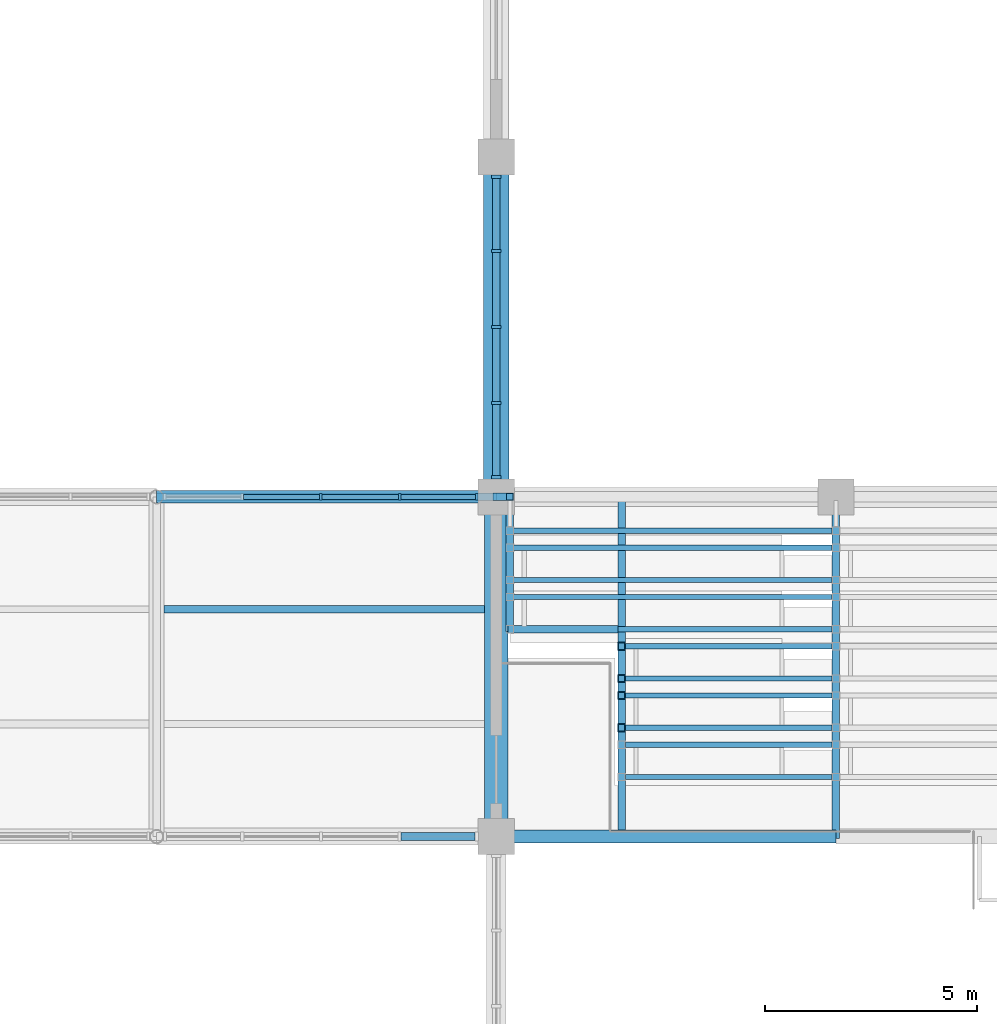
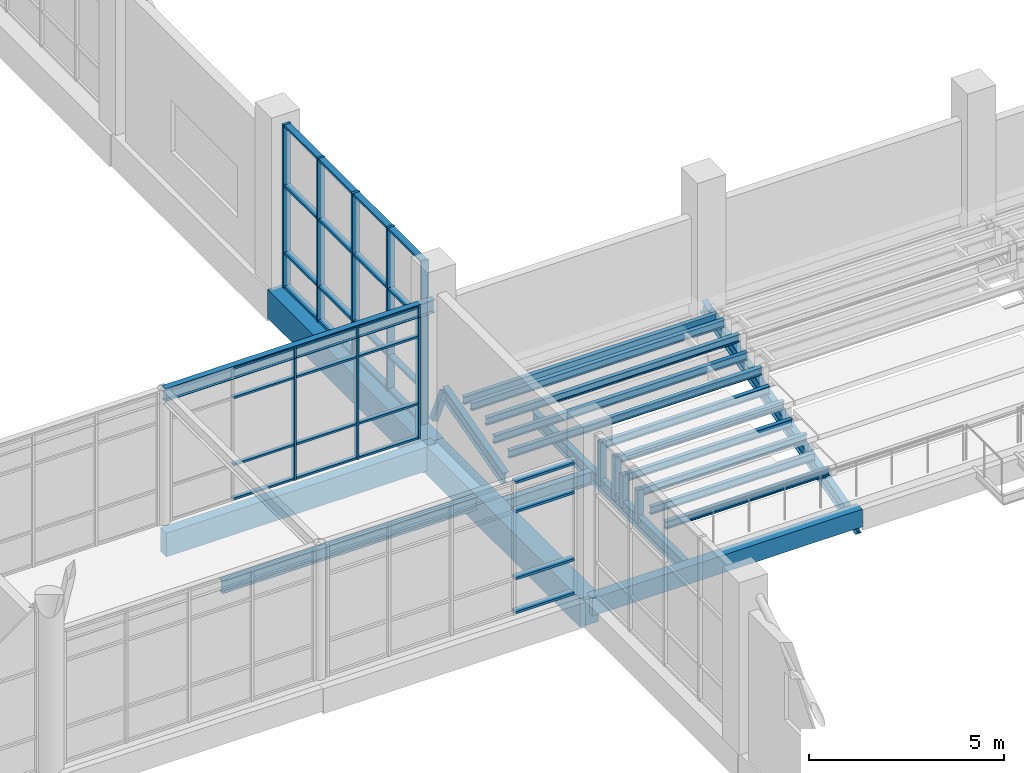
# One storey, part 29 of 122: 45 members, 21 beams, 3 elements without a shape of their own.
"""IFC4 building model written with IfcOpenShell, lengths in metres."""

import ifcopenshell
import ifcopenshell.guid

model = None  # the IFC model being written
_history = None  # IfcOwnerHistory: only IFC2X3 demands one
_inside = {}  # id of a spatial element -> (the spatial element, [elements in it])
_under = {}  # id of a project, library or spatial element -> (it, [spatial elements below it])
_declared = {}  # id of a project -> (the project, [libraries it declares])
_typed = {}  # id of a type object -> (the type object, [elements of that type])
_made_of = {}  # id of a material, layer set ... -> (it, [elements and type objects made of it])


def new_model(schema):
    """Start an empty IFC model of exactly this schema.

    Asked for "IFC4X3", IfcOpenShell would pick the latest addendum, in which some entities
    have other attributes; the version numbers below select the first issue.
    IFC2X3 requires an IfcOwnerHistory on every rooted entity: one is made here for all.
    """
    global model, _history
    if schema == "IFC4X3":
        model = ifcopenshell.file(schema_version=(4, 3, 0, 0))
    else:
        model = ifcopenshell.file(schema=schema)
    _inside.clear()
    _under.clear()
    _declared.clear()
    _typed.clear()
    _made_of.clear()
    _history = None
    if model.schema == "IFC2X3":
        org = make("IfcOrganization", Name="unknown")
        user = make(
            "IfcPersonAndOrganization",
            ThePerson=make("IfcPerson", FamilyName="unknown"),
            TheOrganization=org,
        )
        app = make(
            "IfcApplication",
            ApplicationDeveloper=org,
            Version="unknown",
            ApplicationFullName="unknown",
            ApplicationIdentifier="unknown",
        )
        _history = make(
            "IfcOwnerHistory",
            OwningUser=user,
            OwningApplication=app,
            ChangeAction="ADDED",
            CreationDate=0,
        )
    return model


def make(cls, **values):
    """One entity of the class cls with the attributes given. An attribute that is None is left unset."""
    return model.create_entity(
        cls, **{name: value for name, value in values.items() if value is not None}
    )


def rooted(cls, **values):
    """An entity with a GlobalId (a new one), such as an element, a storey or a relation."""
    return make(cls, GlobalId=ifcopenshell.guid.new(), OwnerHistory=_history, **values)


def si_unit(unit_type, name, prefix=None):
    """IfcSIUnit, for example si_unit("LENGTHUNIT", "METRE", prefix="MILLI")."""
    return make("IfcSIUnit", UnitType=unit_type, Prefix=prefix, Name=name)


def assignment(units):
    """IfcUnitAssignment: the units of a project."""
    return None if units is None else make("IfcUnitAssignment", Units=units)


def point(xyz):
    """IfcCartesianPoint."""
    return None if xyz is None else make("IfcCartesianPoint", Coordinates=xyz)


def direction(xyz):
    """IfcDirection."""
    return None if xyz is None else make("IfcDirection", DirectionRatios=xyz)


def frame(location, z_axis=None, x_axis=None):
    """IfcAxis2Placement3D, a coordinate frame: its origin and axes. An axis left out is left unset."""
    return make(
        "IfcAxis2Placement3D",
        Location=point(location),
        Axis=direction(z_axis),
        RefDirection=direction(x_axis),
    )


def frame_2d(location, x_axis=None):
    """IfcAxis2Placement2D, a coordinate frame in the plane: its origin and x axis."""
    return make(
        "IfcAxis2Placement2D", Location=point(location), RefDirection=direction(x_axis)
    )


def origin():
    """The frame at (0, 0, 0) with its axes left unset."""
    return frame((0.0, 0.0, 0.0))


def origin_2d():
    """The frame at (0, 0) in the plane with its x axis left unset."""
    return frame_2d((0.0, 0.0))


def place(relative_to, where):
    """IfcLocalPlacement: puts the frame where relative to a parent placement (None: the world)."""
    return make(
        "IfcLocalPlacement", PlacementRelTo=relative_to, RelativePlacement=where
    )


def context(
    kind, dimensions, precision=None, world=None, true_north=None, identifier=None
):
    """IfcGeometricRepresentationContext, for example the 3D "Model" context."""
    return make(
        "IfcGeometricRepresentationContext",
        ContextIdentifier=identifier,
        ContextType=kind,
        CoordinateSpaceDimension=dimensions,
        Precision=precision,
        WorldCoordinateSystem=world,
        TrueNorth=true_north,
    )


def subcontext(parent, identifier, kind, view, scale=None):
    """IfcGeometricRepresentationSubContext, for example "Body" below "Model"."""
    return make(
        "IfcGeometricRepresentationSubContext",
        ContextIdentifier=identifier,
        ContextType=kind,
        ParentContext=parent,
        TargetScale=scale,
        TargetView=view,
    )


def project(units=None, contexts=None):
    """IfcProject with its units and contexts."""
    return rooted(
        "IfcProject",
        Name="project",
        RepresentationContexts=contexts,
        UnitsInContext=assignment(units),
    )


def spatial(cls, under=None, at=None, **own):
    """A site, building, storey or space (cls), placed at a placement, below another one or the project."""
    s = rooted(cls, ObjectPlacement=at, **own)
    if under is not None:
        _under.setdefault(under.id(), (under, []))[1].append(s)
    return s


def profile(cls, at=None, kind="AREA", **sizes):
    """A parametric profile (cls). Its sizes go by their IFC names, for example OverallWidth=200.0."""
    return make(cls, ProfileType=kind, Position=at, **sizes)


def rectangle(**sizes):
    """IfcRectangleProfileDef."""
    return profile("IfcRectangleProfileDef", **sizes)


def hollow_rectangle(**sizes):
    """IfcRectangleHollowProfileDef."""
    return profile("IfcRectangleHollowProfileDef", **sizes)


def i_section(**sizes):
    """IfcIShapeProfileDef."""
    return profile("IfcIShapeProfileDef", **sizes)


def extrude(swept, where, along, depth):
    """IfcExtrudedAreaSolid: the profile swept, set in the frame where, extruded along a direction by depth."""
    return make(
        "IfcExtrudedAreaSolid",
        SweptArea=swept,
        Position=where,
        ExtrudedDirection=direction(along),
        Depth=depth,
    )


def shape(context_of_items, identifier, shape_type, items):
    """IfcShapeRepresentation: the items that make up one representation, for example the "Body"."""
    return make(
        "IfcShapeRepresentation",
        ContextOfItems=context_of_items,
        RepresentationIdentifier=identifier,
        RepresentationType=shape_type,
        Items=items,
    )


def material(Name=None, Category=None):
    """IfcMaterial."""
    return make("IfcMaterial", Name=Name, Category=Category)


def material_profile(
    of_material, cross_section, Name=None, Category=None, Priority=None
):
    """IfcMaterialProfile: a cross section and its material."""
    return make(
        "IfcMaterialProfile",
        Name=Name,
        Material=of_material,
        Profile=cross_section,
        Priority=Priority,
        Category=Category,
    )


def profile_set(profiles, Name=None, composite=None):
    """IfcMaterialProfileSet."""
    return make(
        "IfcMaterialProfileSet",
        Name=Name,
        MaterialProfiles=profiles,
        CompositeProfile=composite,
    )


def made_of(thing, what):
    """Note that an element or type object is made of a material, layer set ...; save() writes the relation."""
    if what is not None:
        _made_of.setdefault(what.id(), (what, []))[1].append(thing)
    return thing


def type_object(cls, material=None, **own):
    """A type object (cls), such as IfcWallType, which elements share."""
    return made_of(rooted(cls, **own), material)


def element(
    cls,
    number,
    at=None,
    inside=None,
    cuts=None,
    type_object=None,
    material=None,
    context=None,
    identifier="Body",
    shape_type=None,
    held_by="IfcProductDefinitionShape",
    body=None,
    shapes=None,
    **own,
):
    """One element of the class cls, such as IfcWall. Its Tag is "e" and its number.

    at: its placement. inside: the storey or other place that contains it. cuts: it is an
    opening in that element (IfcRelVoidsElement). A single representation is given by context,
    identifier, shape_type and body (its items); several are given by shapes. held_by: the class
    of the entity that holds the representations. save() writes the other relations.
    """
    e = rooted(cls, Tag="e%d" % number, ObjectPlacement=at, **own)
    if body is not None:
        shapes = [shape(context, identifier, shape_type, body)]
    if shapes is not None:
        e.Representation = make(held_by, Representations=shapes)
    if inside is not None:
        _inside.setdefault(inside.id(), (inside, []))[1].append(e)
    if cuts is not None:
        rooted(
            "IfcRelVoidsElement", RelatingBuildingElement=cuts, RelatedOpeningElement=e
        )
    if type_object is not None:
        _typed.setdefault(type_object.id(), (type_object, []))[1].append(e)
    return made_of(e, material)


def aggregate(whole, parts):
    """IfcRelAggregates: a whole, such as a stair, and the parts it consists of."""
    return rooted("IfcRelAggregates", RelatingObject=whole, RelatedObjects=parts)


def save(model, path):
    """Write the relations noted so far, then the file.

    IfcRelAggregates (storeys below a building ...), IfcRelContainedInSpatialStructure (elements
    in a storey), IfcRelDefinesByType, IfcRelAssociatesMaterial and IfcRelDeclares: one each for
    every whole, place, type object, material and project.
    """
    for whole, parts in _under.values():
        aggregate(whole, parts)
    for where, things in _inside.values():
        rooted(
            "IfcRelContainedInSpatialStructure",
            RelatedElements=things,
            RelatingStructure=where,
        )
    for kind, things in _typed.values():
        rooted("IfcRelDefinesByType", RelatedObjects=things, RelatingType=kind)
    for what, things in _made_of.values():
        rooted("IfcRelAssociatesMaterial", RelatedObjects=things, RelatingMaterial=what)
    for by, libraries in _declared.values():
        rooted("IfcRelDeclares", RelatingContext=by, RelatedDefinitions=libraries)
    model.write(path)


model = new_model("IFC4")

# Units and contexts
model_context = context("Model", 3, precision=1e-05, world=origin(), true_north=direction((0.0, 1.0)))
body_context = subcontext(model_context, "Body", "Model", "MODEL_VIEW")
ifc_project = project(units=[si_unit("LENGTHUNIT", "METRE"), si_unit("AREAUNIT", "SQUARE_METRE"), si_unit("VOLUMEUNIT", "CUBIC_METRE"), si_unit("PLANEANGLEUNIT", "RADIAN"), si_unit("MASSUNIT", "GRAM", prefix="KILO")], contexts=[model_context])

# Site, building, storey
site_placement = place(None, origin())
site = spatial("IfcSite", under=ifc_project, at=site_placement, CompositionType="ELEMENT")
building_placement = place(site_placement, origin())
building = spatial("IfcBuilding", under=site, at=building_placement, Name="Tenunan Teduh Sports Hall", CompositionType="ELEMENT")
storey_placement = place(building_placement, frame((0.0, 0.0, 5.39990234375)))
storey = spatial("IfcBuildingStorey", under=building, at=storey_placement, Name="L01", CompositionType="ELEMENT", Elevation=5.39990234375)

# Beams
ifc_material_1 = material(Name="Concrete C40/50", Category="concrete")
ifc_material_profile_1 = material_profile(ifc_material_1, rectangle(XDim=0.300048828125, YDim=0.550048828125, at=origin_2d()), Name="RCB 300x550")
ifc_profile_set_1 = profile_set([ifc_material_profile_1], Name="Concrete C40/50")
beam_type_1 = type_object("IfcBeamType", Name="BM-RC-300x550", PredefinedType="BEAM", material=ifc_profile_set_1)
beam_1_placement = place(storey_placement, frame((122.0, 38.0, -0.534912109375), z_axis=(1.0, 0.0, 0.0), x_axis=(0.0, 1.0, 0.0)))
element("IfcBeam", 1, at=beam_1_placement, inside=storey, type_object=beam_type_1, Name="BM-B-02-L01-1064", PredefinedType="BEAM", context=body_context, shape_type="SweptSolid", body=[
    extrude(rectangle(XDim=0.300048828125, YDim=0.550048828125, at=origin_2d()), origin(), (0.0, 0.0, 1.0), 8.0),
])
ifc_material_2 = material(Name="Concrete C40/50", Category="concrete")
ifc_material_profile_2 = material_profile(ifc_material_2, rectangle(XDim=0.550048828125, YDim=0.89990234375, at=origin_2d()), Name="RCB 550x900")
ifc_profile_set_2 = profile_set([ifc_material_profile_2], Name="Concrete C40/50")
beam_type_2 = type_object("IfcBeamType", Name="BM-RC-550x900", PredefinedType="BEAM", material=ifc_profile_set_2)
beam_2_placement = place(storey_placement, frame((122.0, 38.0, -0.7099609375), z_axis=(0.0, 1.0, 0.0), x_axis=(-1.0, 0.0, 0.0)))
element("IfcBeam", 2, at=beam_2_placement, inside=storey, type_object=beam_type_2, Name="BM-B-16-L01-1268", PredefinedType="BEAM", context=body_context, shape_type="SweptSolid", body=[
    extrude(rectangle(XDim=0.550048828125, YDim=0.89990234375, at=origin_2d()), origin(), (0.0, 0.0, 1.0), 8.0),
])
ifc_material_3 = material(Name="Concrete C40/50", Category="concrete")
ifc_material_profile_3 = material_profile(ifc_material_3, rectangle(XDim=0.60009765625, YDim=0.89990234375, at=origin_2d()), Name="RCB 600x900")
ifc_profile_set_3 = profile_set([ifc_material_profile_3], Name="Concrete C40/50")
beam_type_3 = type_object("IfcBeamType", Name="BM-RC-600x900", PredefinedType="BEAM", material=ifc_profile_set_3)
beam_3_placement = place(storey_placement, frame((122.0, 46.0, -0.7099609375), z_axis=(0.0, 1.0, 0.0), x_axis=(-1.0, 0.0, 0.0)))
element("IfcBeam", 3, at=beam_3_placement, inside=storey, type_object=beam_type_3, Name="BM-B-17-L01-1269", PredefinedType="BEAM", context=body_context, shape_type="SweptSolid", body=[
    extrude(rectangle(XDim=0.60009765625, YDim=0.89990234375, at=origin_2d()), origin(), (0.0, 0.0, 1.0), 8.0),
])
ifc_material_4 = material(Name="Concrete C40/50", Category="concrete")
ifc_material_profile_4 = material_profile(ifc_material_4, rectangle(XDim=0.300048828125, YDim=0.75, at=origin_2d()), Name="SPB 300x750")
ifc_profile_set_4 = profile_set([ifc_material_profile_4], Name="Concrete C40/50")
beam_type_4 = type_object("IfcBeamType", Name="BM-SP-300x750", PredefinedType="SPANDREL", material=ifc_profile_set_4)
beam_4_placement = place(storey_placement, frame((114.0, 46.0, -0.635009765625), z_axis=(1.0, 0.0, 0.0), x_axis=(0.0, 1.0, 0.0)))
element("IfcBeam", 4, at=beam_4_placement, inside=storey, type_object=beam_type_4, Name="BM-SP-01-L01-1081", PredefinedType="SPANDREL", context=body_context, shape_type="SweptSolid", body=[
    extrude(rectangle(XDim=0.300048828125, YDim=0.75, at=origin_2d()), origin(), (0.0, 0.0, 1.0), 8.0),
])

# Curtain wall, members
ifc_material_5 = material(Name="Anodised aluminium", Category="aluminium")
curtain_wall_type_1 = type_object("IfcCurtainWallType", Name="CW-UNIT-2", PredefinedType="NOTDEFINED", material=ifc_material_5)
curtain_wall_1_placement = place(storey_placement, origin())
curtain_wall_1 = element("IfcCurtainWall", 5, at=curtain_wall_1_placement, inside=storey, type_object=curtain_wall_type_1, Name="CW-CWM-150-L01-183", PredefinedType="NOTDEFINED")
ifc_material_6 = material(Name="Anodised aluminium", Category="aluminium")
ifc_material_profile_5 = material_profile(ifc_material_6, rectangle(XDim=0.06005859375, YDim=0.14990234375, at=origin_2d()), Name="CWM 60x150")
ifc_profile_set_5 = profile_set([ifc_material_profile_5], Name="Anodised aluminium")
member_type_1 = type_object("IfcMemberType", Name="CWM-150", PredefinedType="MULLION", material=ifc_profile_set_5)
member_1_placement = place(storey_placement, frame((117.868408203125, 46.0, 0.0), z_axis=(0.0, 0.0, 1.0), x_axis=(1.0, 0.0, 0.0)))
member_1 = element("IfcMember", 6, at=member_1_placement, type_object=member_type_1, Name="CW-02 mullion 3", PredefinedType="MULLION", context=body_context, shape_type="SweptSolid", body=[
    extrude(rectangle(XDim=0.06005859375, YDim=0.14990234375, at=origin_2d()), origin(), (0.0, 0.0, 1.0), 4.150146484375),
])
member_2_placement = place(storey_placement, frame((119.7216796875, 46.0, 0.0), z_axis=(0.0, 0.0, 1.0), x_axis=(1.0, 0.0, 0.0)))
member_2 = element("IfcMember", 7, at=member_2_placement, type_object=member_type_1, Name="CW-02 mullion 4", PredefinedType="MULLION", context=body_context, shape_type="SweptSolid", body=[
    extrude(rectangle(XDim=0.06005859375, YDim=0.14990234375, at=origin_2d()), origin(), (0.0, 0.0, 1.0), 4.150146484375),
])
member_3_placement = place(storey_placement, frame((121.544921875, 46.0, 0.0), z_axis=(0.0, 0.0, 1.0), x_axis=(1.0, 0.0, 0.0)))
member_3 = element("IfcMember", 8, at=member_3_placement, type_object=member_type_1, Name="CW-02 mullion 5", PredefinedType="MULLION", context=body_context, shape_type="SweptSolid", body=[
    extrude(rectangle(XDim=0.06005859375, YDim=0.14990234375, at=origin_2d()), origin(), (0.0, 0.0, 1.0), 4.150146484375),
])

ifc_material_7 = material(Name="Anodised aluminium", Category="aluminium")
curtain_wall_type_2 = type_object("IfcCurtainWallType", Name="CW-UNIT-1", PredefinedType="NOTDEFINED", material=ifc_material_7)
curtain_wall_2_placement = place(storey_placement, origin())
curtain_wall_2 = element("IfcCurtainWall", 9, at=curtain_wall_2_placement, inside=storey, type_object=curtain_wall_type_2, Name="CW-CWM-220-L01-121", PredefinedType="NOTDEFINED")
ifc_material_8 = material(Name="Anodised aluminium", Category="aluminium")
ifc_material_profile_6 = material_profile(ifc_material_8, rectangle(XDim=0.074951171875, YDim=0.219970703125, at=origin_2d()), Name="CWM 75x220")
ifc_profile_set_6 = profile_set([ifc_material_profile_6], Name="Anodised aluminium")
member_type_2 = type_object("IfcMemberType", Name="CWM-220", PredefinedType="MULLION", material=ifc_profile_set_6)
member_4_placement = place(storey_placement, frame((122.0, 46.46240234375, 0.0), z_axis=(0.0, 0.0, 1.0), x_axis=(0.0, 1.0, 0.0)))
member_4 = element("IfcMember", 10, at=member_4_placement, type_object=member_type_2, Name="CW-01 mullion 1", PredefinedType="MULLION", context=body_context, shape_type="SweptSolid", body=[
    extrude(rectangle(XDim=0.074951171875, YDim=0.219970703125, at=origin_2d()), origin(), (0.0, 0.0, 1.0), 5.1201171875),
])
member_5_placement = place(storey_placement, frame((122.0, 48.21240234375, 0.0), z_axis=(0.0, 0.0, 1.0), x_axis=(0.0, 1.0, 0.0)))
member_5 = element("IfcMember", 11, at=member_5_placement, type_object=member_type_2, Name="CW-01 mullion 2", PredefinedType="MULLION", context=body_context, shape_type="SweptSolid", body=[
    extrude(rectangle(XDim=0.074951171875, YDim=0.219970703125, at=origin_2d()), origin(), (0.0, 0.0, 1.0), 5.1201171875),
])
member_6_placement = place(storey_placement, frame((122.0, 50.0, 0.0), z_axis=(0.0, 0.0, 1.0), x_axis=(0.0, 1.0, 0.0)))
member_6 = element("IfcMember", 12, at=member_6_placement, type_object=member_type_2, Name="CW-01 mullion 3", PredefinedType="MULLION", context=body_context, shape_type="SweptSolid", body=[
    extrude(rectangle(XDim=0.074951171875, YDim=0.219970703125, at=origin_2d()), origin(), (0.0, 0.0, 1.0), 5.1201171875),
])
member_7_placement = place(storey_placement, frame((122.0, 51.78759765625, 0.0), z_axis=(0.0, 0.0, 1.0), x_axis=(0.0, 1.0, 0.0)))
member_7 = element("IfcMember", 13, at=member_7_placement, type_object=member_type_2, Name="CW-01 mullion 4", PredefinedType="MULLION", context=body_context, shape_type="SweptSolid", body=[
    extrude(rectangle(XDim=0.074951171875, YDim=0.219970703125, at=origin_2d()), origin(), (0.0, 0.0, 1.0), 5.1201171875),
])
member_8_placement = place(storey_placement, frame((122.0, 53.53759765625, 0.0), z_axis=(0.0, 0.0, 1.0), x_axis=(0.0, 1.0, 0.0)))
member_8 = element("IfcMember", 14, at=member_8_placement, type_object=member_type_2, Name="CW-01 mullion 5", PredefinedType="MULLION", context=body_context, shape_type="SweptSolid", body=[
    extrude(rectangle(XDim=0.074951171875, YDim=0.219970703125, at=origin_2d()), origin(), (0.0, 0.0, 1.0), 5.1201171875),
])

# Member
ifc_material_9 = material(Name="Anodised aluminium", Category="aluminium")
ifc_material_profile_7 = material_profile(ifc_material_9, rectangle(XDim=0.06005859375, YDim=0.1201171875, at=origin_2d()), Name="CWT 60x120")
ifc_profile_set_7 = profile_set([ifc_material_profile_7], Name="Anodised aluminium")
member_type_3 = type_object("IfcMemberType", Name="CWT-125", PredefinedType="USERDEFINED", material=ifc_profile_set_7)
member_9_placement = place(storey_placement, frame((116.045166015625, 46.0, 0.030029296875), z_axis=(1.0, 0.0, 0.0), x_axis=(0.0, 0.0, 1.0)))
member_9 = element("IfcMember", 15, at=member_9_placement, type_object=member_type_3, Name="CW-02 transom 2.1", ObjectType="TRANSOM", PredefinedType="USERDEFINED", context=body_context, shape_type="SweptSolid", body=[
    extrude(rectangle(XDim=0.06005859375, YDim=0.1201171875, at=origin_2d()), origin(), (0.0, 0.0, 1.0), 1.793212890625),
])

member_10_placement = place(storey_placement, frame((116.045166015625, 46.0, 1.10009765625), z_axis=(1.0, 0.0, 0.0), x_axis=(0.0, 0.0, 1.0)))
member_10 = element("IfcMember", 16, at=member_10_placement, type_object=member_type_3, Name="CW-02 transom 2.2", ObjectType="TRANSOM", PredefinedType="USERDEFINED", context=body_context, shape_type="SweptSolid", body=[
    extrude(rectangle(XDim=0.06005859375, YDim=0.1201171875, at=origin_2d()), origin(), (0.0, 0.0, 1.0), 1.793212890625),
])

member_11_placement = place(storey_placement, frame((116.045166015625, 46.0, 3.2001953125), z_axis=(1.0, 0.0, 0.0), x_axis=(0.0, 0.0, 1.0)))
member_11 = element("IfcMember", 17, at=member_11_placement, type_object=member_type_3, Name="CW-02 transom 2.3", ObjectType="TRANSOM", PredefinedType="USERDEFINED", context=body_context, shape_type="SweptSolid", body=[
    extrude(rectangle(XDim=0.06005859375, YDim=0.1201171875, at=origin_2d()), origin(), (0.0, 0.0, 1.0), 1.793212890625),
])

member_12_placement = place(storey_placement, frame((116.045166015625, 46.0, 4.1201171875), z_axis=(1.0, 0.0, 0.0), x_axis=(0.0, 0.0, 1.0)))
member_12 = element("IfcMember", 18, at=member_12_placement, type_object=member_type_3, Name="CW-02 transom 2.4", ObjectType="TRANSOM", PredefinedType="USERDEFINED", context=body_context, shape_type="SweptSolid", body=[
    extrude(rectangle(XDim=0.06005859375, YDim=0.1201171875, at=origin_2d()), origin(), (0.0, 0.0, 1.0), 1.793212890625),
])

member_13_placement = place(storey_placement, frame((117.8984375, 46.0, 0.030029296875), z_axis=(1.0, 0.0, 0.0), x_axis=(0.0, 0.0, 1.0)))
member_13 = element("IfcMember", 19, at=member_13_placement, type_object=member_type_3, Name="CW-02 transom 3.1", ObjectType="TRANSOM", PredefinedType="USERDEFINED", context=body_context, shape_type="SweptSolid", body=[
    extrude(rectangle(XDim=0.06005859375, YDim=0.1201171875, at=origin_2d()), origin(), (0.0, 0.0, 1.0), 1.793212890625),
])

member_14_placement = place(storey_placement, frame((117.8984375, 46.0, 1.10009765625), z_axis=(1.0, 0.0, 0.0), x_axis=(0.0, 0.0, 1.0)))
member_14 = element("IfcMember", 20, at=member_14_placement, type_object=member_type_3, Name="CW-02 transom 3.2", ObjectType="TRANSOM", PredefinedType="USERDEFINED", context=body_context, shape_type="SweptSolid", body=[
    extrude(rectangle(XDim=0.06005859375, YDim=0.1201171875, at=origin_2d()), origin(), (0.0, 0.0, 1.0), 1.793212890625),
])

member_15_placement = place(storey_placement, frame((117.8984375, 46.0, 3.2001953125), z_axis=(1.0, 0.0, 0.0), x_axis=(0.0, 0.0, 1.0)))
member_15 = element("IfcMember", 21, at=member_15_placement, type_object=member_type_3, Name="CW-02 transom 3.3", ObjectType="TRANSOM", PredefinedType="USERDEFINED", context=body_context, shape_type="SweptSolid", body=[
    extrude(rectangle(XDim=0.06005859375, YDim=0.1201171875, at=origin_2d()), origin(), (0.0, 0.0, 1.0), 1.793212890625),
])

member_16_placement = place(storey_placement, frame((117.8984375, 46.0, 4.1201171875), z_axis=(1.0, 0.0, 0.0), x_axis=(0.0, 0.0, 1.0)))
member_16 = element("IfcMember", 22, at=member_16_placement, type_object=member_type_3, Name="CW-02 transom 3.4", ObjectType="TRANSOM", PredefinedType="USERDEFINED", context=body_context, shape_type="SweptSolid", body=[
    extrude(rectangle(XDim=0.06005859375, YDim=0.1201171875, at=origin_2d()), origin(), (0.0, 0.0, 1.0), 1.793212890625),
])

member_17_placement = place(storey_placement, frame((119.751708984375, 46.0, 0.030029296875), z_axis=(1.0, 0.0, 0.0), x_axis=(0.0, 0.0, 1.0)))
member_17 = element("IfcMember", 23, at=member_17_placement, type_object=member_type_3, Name="CW-02 transom 4.1", ObjectType="TRANSOM", PredefinedType="USERDEFINED", context=body_context, shape_type="SweptSolid", body=[
    extrude(rectangle(XDim=0.06005859375, YDim=0.1201171875, at=origin_2d()), origin(), (0.0, 0.0, 1.0), 1.76318359375),
])

member_18_placement = place(storey_placement, frame((119.751708984375, 46.0, 1.10009765625), z_axis=(1.0, 0.0, 0.0), x_axis=(0.0, 0.0, 1.0)))
member_18 = element("IfcMember", 24, at=member_18_placement, type_object=member_type_3, Name="CW-02 transom 4.2", ObjectType="TRANSOM", PredefinedType="USERDEFINED", context=body_context, shape_type="SweptSolid", body=[
    extrude(rectangle(XDim=0.06005859375, YDim=0.1201171875, at=origin_2d()), origin(), (0.0, 0.0, 1.0), 1.76318359375),
])

member_19_placement = place(storey_placement, frame((119.751708984375, 46.0, 3.2001953125), z_axis=(1.0, 0.0, 0.0), x_axis=(0.0, 0.0, 1.0)))
member_19 = element("IfcMember", 25, at=member_19_placement, type_object=member_type_3, Name="CW-02 transom 4.3", ObjectType="TRANSOM", PredefinedType="USERDEFINED", context=body_context, shape_type="SweptSolid", body=[
    extrude(rectangle(XDim=0.06005859375, YDim=0.1201171875, at=origin_2d()), origin(), (0.0, 0.0, 1.0), 1.76318359375),
])

member_20_placement = place(storey_placement, frame((119.751708984375, 46.0, 4.1201171875), z_axis=(1.0, 0.0, 0.0), x_axis=(0.0, 0.0, 1.0)))
member_20 = element("IfcMember", 26, at=member_20_placement, type_object=member_type_3, Name="CW-02 transom 4.4", ObjectType="TRANSOM", PredefinedType="USERDEFINED", context=body_context, shape_type="SweptSolid", body=[
    extrude(rectangle(XDim=0.06005859375, YDim=0.1201171875, at=origin_2d()), origin(), (0.0, 0.0, 1.0), 1.76318359375),
])

aggregate(curtain_wall_1, [member_1, member_2, member_3, member_9, member_10, member_11, member_12, member_13, member_14, member_15, member_16, member_17, member_18, member_19, member_20])

ifc_material_10 = material(Name="Anodised aluminium", Category="aluminium")
ifc_material_profile_8 = material_profile(ifc_material_10, rectangle(XDim=0.074951171875, YDim=0.179931640625, at=origin_2d()), Name="CWT 75x180")
ifc_profile_set_8 = profile_set([ifc_material_profile_8], Name="Anodised aluminium")
member_type_4 = type_object("IfcMemberType", Name="CWT-180", PredefinedType="USERDEFINED", material=ifc_profile_set_8)
member_21_placement = place(storey_placement, frame((122.0, 46.5, 0.03759765625), z_axis=(0.0, 1.0, 0.0), x_axis=(0.0, 0.0, 1.0)))
member_21 = element("IfcMember", 27, at=member_21_placement, type_object=member_type_4, Name="CW-01 transom 1.1", ObjectType="TRANSOM", PredefinedType="USERDEFINED", context=body_context, shape_type="SweptSolid", body=[
    extrude(rectangle(XDim=0.074951171875, YDim=0.179931640625, at=origin_2d()), origin(), (0.0, 0.0, 1.0), 1.675048828125),
])

member_22_placement = place(storey_placement, frame((122.0, 46.5, 1.10009765625), z_axis=(0.0, 1.0, 0.0), x_axis=(0.0, 0.0, 1.0)))
member_22 = element("IfcMember", 28, at=member_22_placement, type_object=member_type_4, Name="CW-01 transom 1.2", ObjectType="TRANSOM", PredefinedType="USERDEFINED", context=body_context, shape_type="SweptSolid", body=[
    extrude(rectangle(XDim=0.074951171875, YDim=0.179931640625, at=origin_2d()), origin(), (0.0, 0.0, 1.0), 1.675048828125),
])

member_23_placement = place(storey_placement, frame((122.0, 46.5, 3.2001953125), z_axis=(0.0, 1.0, 0.0), x_axis=(0.0, 0.0, 1.0)))
member_23 = element("IfcMember", 29, at=member_23_placement, type_object=member_type_4, Name="CW-01 transom 1.3", ObjectType="TRANSOM", PredefinedType="USERDEFINED", context=body_context, shape_type="SweptSolid", body=[
    extrude(rectangle(XDim=0.074951171875, YDim=0.179931640625, at=origin_2d()), origin(), (0.0, 0.0, 1.0), 1.675048828125),
])

member_24_placement = place(storey_placement, frame((122.0, 46.5, 5.08251953125), z_axis=(0.0, 1.0, 0.0), x_axis=(0.0, 0.0, 1.0)))
member_24 = element("IfcMember", 30, at=member_24_placement, type_object=member_type_4, Name="CW-01 transom 1.4", ObjectType="TRANSOM", PredefinedType="USERDEFINED", context=body_context, shape_type="SweptSolid", body=[
    extrude(rectangle(XDim=0.074951171875, YDim=0.179931640625, at=origin_2d()), origin(), (0.0, 0.0, 1.0), 1.675048828125),
])

member_25_placement = place(storey_placement, frame((122.0, 48.25, 0.03759765625), z_axis=(0.0, 1.0, 0.0), x_axis=(0.0, 0.0, 1.0)))
member_25 = element("IfcMember", 31, at=member_25_placement, type_object=member_type_4, Name="CW-01 transom 2.1", ObjectType="TRANSOM", PredefinedType="USERDEFINED", context=body_context, shape_type="SweptSolid", body=[
    extrude(rectangle(XDim=0.074951171875, YDim=0.179931640625, at=origin_2d()), origin(), (0.0, 0.0, 1.0), 1.71240234375),
])

member_26_placement = place(storey_placement, frame((122.0, 48.25, 1.10009765625), z_axis=(0.0, 1.0, 0.0), x_axis=(0.0, 0.0, 1.0)))
member_26 = element("IfcMember", 32, at=member_26_placement, type_object=member_type_4, Name="CW-01 transom 2.2", ObjectType="TRANSOM", PredefinedType="USERDEFINED", context=body_context, shape_type="SweptSolid", body=[
    extrude(rectangle(XDim=0.074951171875, YDim=0.179931640625, at=origin_2d()), origin(), (0.0, 0.0, 1.0), 1.71240234375),
])

member_27_placement = place(storey_placement, frame((122.0, 48.25, 3.2001953125), z_axis=(0.0, 1.0, 0.0), x_axis=(0.0, 0.0, 1.0)))
member_27 = element("IfcMember", 33, at=member_27_placement, type_object=member_type_4, Name="CW-01 transom 2.3", ObjectType="TRANSOM", PredefinedType="USERDEFINED", context=body_context, shape_type="SweptSolid", body=[
    extrude(rectangle(XDim=0.074951171875, YDim=0.179931640625, at=origin_2d()), origin(), (0.0, 0.0, 1.0), 1.71240234375),
])

member_28_placement = place(storey_placement, frame((122.0, 48.25, 5.08251953125), z_axis=(0.0, 1.0, 0.0), x_axis=(0.0, 0.0, 1.0)))
member_28 = element("IfcMember", 34, at=member_28_placement, type_object=member_type_4, Name="CW-01 transom 2.4", ObjectType="TRANSOM", PredefinedType="USERDEFINED", context=body_context, shape_type="SweptSolid", body=[
    extrude(rectangle(XDim=0.074951171875, YDim=0.179931640625, at=origin_2d()), origin(), (0.0, 0.0, 1.0), 1.71240234375),
])

member_29_placement = place(storey_placement, frame((122.0, 50.03759765625, 0.03759765625), z_axis=(0.0, 1.0, 0.0), x_axis=(0.0, 0.0, 1.0)))
member_29 = element("IfcMember", 35, at=member_29_placement, type_object=member_type_4, Name="CW-01 transom 3.1", ObjectType="TRANSOM", PredefinedType="USERDEFINED", context=body_context, shape_type="SweptSolid", body=[
    extrude(rectangle(XDim=0.074951171875, YDim=0.179931640625, at=origin_2d()), origin(), (0.0, 0.0, 1.0), 1.71240234375),
])

member_30_placement = place(storey_placement, frame((122.0, 50.03759765625, 1.10009765625), z_axis=(0.0, 1.0, 0.0), x_axis=(0.0, 0.0, 1.0)))
member_30 = element("IfcMember", 36, at=member_30_placement, type_object=member_type_4, Name="CW-01 transom 3.2", ObjectType="TRANSOM", PredefinedType="USERDEFINED", context=body_context, shape_type="SweptSolid", body=[
    extrude(rectangle(XDim=0.074951171875, YDim=0.179931640625, at=origin_2d()), origin(), (0.0, 0.0, 1.0), 1.71240234375),
])

member_31_placement = place(storey_placement, frame((122.0, 50.03759765625, 3.2001953125), z_axis=(0.0, 1.0, 0.0), x_axis=(0.0, 0.0, 1.0)))
member_31 = element("IfcMember", 37, at=member_31_placement, type_object=member_type_4, Name="CW-01 transom 3.3", ObjectType="TRANSOM", PredefinedType="USERDEFINED", context=body_context, shape_type="SweptSolid", body=[
    extrude(rectangle(XDim=0.074951171875, YDim=0.179931640625, at=origin_2d()), origin(), (0.0, 0.0, 1.0), 1.71240234375),
])

member_32_placement = place(storey_placement, frame((122.0, 50.03759765625, 5.08251953125), z_axis=(0.0, 1.0, 0.0), x_axis=(0.0, 0.0, 1.0)))
member_32 = element("IfcMember", 38, at=member_32_placement, type_object=member_type_4, Name="CW-01 transom 3.4", ObjectType="TRANSOM", PredefinedType="USERDEFINED", context=body_context, shape_type="SweptSolid", body=[
    extrude(rectangle(XDim=0.074951171875, YDim=0.179931640625, at=origin_2d()), origin(), (0.0, 0.0, 1.0), 1.71240234375),
])

member_33_placement = place(storey_placement, frame((122.0, 51.824951171875, 0.03759765625), z_axis=(0.0, 1.0, 0.0), x_axis=(0.0, 0.0, 1.0)))
member_33 = element("IfcMember", 39, at=member_33_placement, type_object=member_type_4, Name="CW-01 transom 4.1", ObjectType="TRANSOM", PredefinedType="USERDEFINED", context=body_context, shape_type="SweptSolid", body=[
    extrude(rectangle(XDim=0.074951171875, YDim=0.179931640625, at=origin_2d()), origin(), (0.0, 0.0, 1.0), 1.675048828125),
])

member_34_placement = place(storey_placement, frame((122.0, 51.824951171875, 1.10009765625), z_axis=(0.0, 1.0, 0.0), x_axis=(0.0, 0.0, 1.0)))
member_34 = element("IfcMember", 40, at=member_34_placement, type_object=member_type_4, Name="CW-01 transom 4.2", ObjectType="TRANSOM", PredefinedType="USERDEFINED", context=body_context, shape_type="SweptSolid", body=[
    extrude(rectangle(XDim=0.074951171875, YDim=0.179931640625, at=origin_2d()), origin(), (0.0, 0.0, 1.0), 1.675048828125),
])

member_35_placement = place(storey_placement, frame((122.0, 51.824951171875, 3.2001953125), z_axis=(0.0, 1.0, 0.0), x_axis=(0.0, 0.0, 1.0)))
member_35 = element("IfcMember", 41, at=member_35_placement, type_object=member_type_4, Name="CW-01 transom 4.3", ObjectType="TRANSOM", PredefinedType="USERDEFINED", context=body_context, shape_type="SweptSolid", body=[
    extrude(rectangle(XDim=0.074951171875, YDim=0.179931640625, at=origin_2d()), origin(), (0.0, 0.0, 1.0), 1.675048828125),
])

member_36_placement = place(storey_placement, frame((122.0, 51.824951171875, 5.08251953125), z_axis=(0.0, 1.0, 0.0), x_axis=(0.0, 0.0, 1.0)))
member_36 = element("IfcMember", 42, at=member_36_placement, type_object=member_type_4, Name="CW-01 transom 4.4", ObjectType="TRANSOM", PredefinedType="USERDEFINED", context=body_context, shape_type="SweptSolid", body=[
    extrude(rectangle(XDim=0.074951171875, YDim=0.179931640625, at=origin_2d()), origin(), (0.0, 0.0, 1.0), 1.675048828125),
])

aggregate(curtain_wall_2, [member_4, member_5, member_6, member_7, member_8, member_21, member_22, member_23, member_24, member_25, member_26, member_27, member_28, member_29, member_30, member_31, member_32, member_33, member_34, member_35, member_36])

# Curtain wall, members
curtain_wall_3_placement = place(storey_placement, origin())
curtain_wall_3 = element("IfcCurtainWall", 43, at=curtain_wall_3_placement, inside=storey, type_object=curtain_wall_type_1, Name="CW-CWM-220-L01-181", PredefinedType="NOTDEFINED")
member_37_placement = place(storey_placement, frame((119.75927734375, 38.0, 0.03759765625), z_axis=(1.0, 0.0, 0.0), x_axis=(0.0, 0.0, 1.0)))
member_37 = element("IfcMember", 44, at=member_37_placement, type_object=member_type_4, Name="CW-02 transom 4.1", ObjectType="TRANSOM", PredefinedType="USERDEFINED", context=body_context, shape_type="SweptSolid", body=[
    extrude(rectangle(XDim=0.074951171875, YDim=0.179931640625, at=origin_2d()), origin(), (0.0, 0.0, 1.0), 1.74072265625),
])
member_38_placement = place(storey_placement, frame((119.75927734375, 38.0, 1.10009765625), z_axis=(1.0, 0.0, 0.0), x_axis=(0.0, 0.0, 1.0)))
member_38 = element("IfcMember", 45, at=member_38_placement, type_object=member_type_4, Name="CW-02 transom 4.2", ObjectType="TRANSOM", PredefinedType="USERDEFINED", context=body_context, shape_type="SweptSolid", body=[
    extrude(rectangle(XDim=0.074951171875, YDim=0.179931640625, at=origin_2d()), origin(), (0.0, 0.0, 1.0), 1.74072265625),
])
member_39_placement = place(storey_placement, frame((119.75927734375, 38.0, 3.2001953125), z_axis=(1.0, 0.0, 0.0), x_axis=(0.0, 0.0, 1.0)))
member_39 = element("IfcMember", 46, at=member_39_placement, type_object=member_type_4, Name="CW-02 transom 4.3", ObjectType="TRANSOM", PredefinedType="USERDEFINED", context=body_context, shape_type="SweptSolid", body=[
    extrude(rectangle(XDim=0.074951171875, YDim=0.179931640625, at=origin_2d()), origin(), (0.0, 0.0, 1.0), 1.74072265625),
])
member_40_placement = place(storey_placement, frame((119.75927734375, 38.0, 4.112548828125), z_axis=(1.0, 0.0, 0.0), x_axis=(0.0, 0.0, 1.0)))
member_40 = element("IfcMember", 47, at=member_40_placement, type_object=member_type_4, Name="CW-02 transom 4.4", ObjectType="TRANSOM", PredefinedType="USERDEFINED", context=body_context, shape_type="SweptSolid", body=[
    extrude(rectangle(XDim=0.074951171875, YDim=0.179931640625, at=origin_2d()), origin(), (0.0, 0.0, 1.0), 1.74072265625),
])
aggregate(curtain_wall_3, [member_37, member_38, member_39, member_40])

# Beams
ifc_material_11 = material(Name="Steel S355", Category="steel")
ifc_material_profile_9 = material_profile(ifc_material_11, i_section(OverallWidth=0.1201171875, OverallDepth=0.239990234375, WebThickness=0.006103515625, FlangeThickness=0.009765625, FilletRadius=0.014892578125, at=origin_2d()), Name="IPE 240")
ifc_profile_set_9 = profile_set([ifc_material_profile_9], Name="Steel S355")
beam_type_5 = type_object("IfcBeamType", Name="JST-IPE240", PredefinedType="JOIST", material=ifc_profile_set_9)
beam_5_placement = place(storey_placement, frame((122.409912109375, 45.199951171875, 1.360107421875), z_axis=(1.0, 0.0, 0.0), x_axis=(0.0, 1.0, 0.0)))
element("IfcBeam", 48, at=beam_5_placement, inside=storey, type_object=beam_type_5, Name="BM-J-02-L01-2257", PredefinedType="JOIST", context=body_context, shape_type="SweptSolid", body=[
    extrude(i_section(OverallWidth=0.1201171875, OverallDepth=0.239990234375, WebThickness=0.006103515625, FlangeThickness=0.009765625, FilletRadius=0.014892578125, at=origin_2d()), origin(), (0.0, 0.0, 1.0), 7.5),
])
for number, where, z_axis, x_axis, name in (
    (49, (125.0400390625, 39.39990234375, 0.050048828125), (1.0, 0.0, 0.0), (0.0, 1.0, 0.0), "BM-J-02-L01-2268"),
    (50, (125.0400390625, 40.159912109375, 0.050048828125), (1.0, 0.0, 0.0), (0.0, 1.0, 0.0), "BM-J-02-L01-2269"),
    (51, (125.0400390625, 40.56005859375, 0.405029296875), (1.0, 0.0, 0.0), (0.0, 1.0, 0.0), "BM-J-02-L01-2272"),
    (52, (125.0400390625, 41.320068359375, 0.405029296875), (1.0, 0.0, 0.0), (0.0, 1.0, 0.0), "BM-J-02-L01-2273"),
    (53, (125.0400390625, 41.719970703125, 0.72998046875), (1.0, 0.0, 0.0), (0.0, 1.0, 0.0), "BM-J-02-L01-2276"),
    (54, (125.0400390625, 42.47998046875, 0.72998046875), (1.0, 0.0, 0.0), (0.0, 1.0, 0.0), "BM-J-02-L01-2277"),
):
    element("IfcBeam", number, at=place(storey_placement, frame(where, z_axis=z_axis, x_axis=x_axis)), inside=storey, type_object=beam_type_5, Name=name, PredefinedType="JOIST", context=body_context, shape_type="SweptSolid", body=[
        extrude(i_section(OverallWidth=0.1201171875, OverallDepth=0.239990234375, WebThickness=0.006103515625, FlangeThickness=0.009765625, FilletRadius=0.014892578125, at=origin_2d()), origin(), (0.0, 0.0, 1.0), 4.869873046875),
    ])
for number, where, z_axis, x_axis, name in (
    (55, (122.409912109375, 42.8798828125, 1.085205078125), (1.0, 0.0, 0.0), (0.0, 1.0, 0.0), "BM-J-02-L01-2280"),
    (56, (122.409912109375, 43.639892578125, 1.085205078125), (1.0, 0.0, 0.0), (0.0, 1.0, 0.0), "BM-J-02-L01-2281"),
    (57, (122.409912109375, 44.0400390625, 1.41015625), (1.0, 0.0, 0.0), (0.0, 1.0, 0.0), "BM-J-02-L01-2284"),
    (58, (122.409912109375, 44.800048828125, 1.41015625), (1.0, 0.0, 0.0), (0.0, 1.0, 0.0), "BM-J-02-L01-2285"),
):
    element("IfcBeam", number, at=place(storey_placement, frame(where, z_axis=z_axis, x_axis=x_axis)), inside=storey, type_object=beam_type_5, Name=name, PredefinedType="JOIST", context=body_context, shape_type="SweptSolid", body=[
        extrude(i_section(OverallWidth=0.1201171875, OverallDepth=0.239990234375, WebThickness=0.006103515625, FlangeThickness=0.009765625, FilletRadius=0.014892578125, at=origin_2d()), origin(), (0.0, 0.0, 1.0), 7.5),
    ])
ifc_material_12 = material(Name="Steel S355", Category="steel")
ifc_material_profile_10 = material_profile(ifc_material_12, i_section(OverallWidth=0.179931640625, OverallDepth=0.39990234375, WebThickness=0.008544921875, FlangeThickness=0.013427734375, FilletRadius=0.02099609375, at=origin_2d()), Name="IPE 400")
ifc_profile_set_10 = profile_set([ifc_material_profile_10], Name="Steel S355")
beam_type_6 = type_object("IfcBeamType", Name="JST-IPE400", PredefinedType="JOIST", material=ifc_profile_set_10)
beam_6_placement = place(storey_placement, frame((114.175048828125, 43.35009765625, -0.4599609375), z_axis=(1.0, 0.0, 0.0), x_axis=(0.0, 1.0, 0.0)))
element("IfcBeam", 59, at=beam_6_placement, inside=storey, type_object=beam_type_6, Name="BM-J-06-L01-1401", PredefinedType="JOIST", context=body_context, shape_type="SweptSolid", body=[
    extrude(i_section(OverallWidth=0.179931640625, OverallDepth=0.39990234375, WebThickness=0.008544921875, FlangeThickness=0.013427734375, FilletRadius=0.02099609375, at=origin_2d()), origin(), (0.0, 0.0, 1.0), 7.550048828125),
])

# Members
ifc_material_13 = material(Name="Steel S355", Category="steel")
ifc_material_profile_11 = material_profile(ifc_material_13, hollow_rectangle(XDim=0.179931640625, YDim=0.179931640625, WallThickness=0.010009765625, at=origin_2d()), Name="SHS 180x180x10.0")
ifc_profile_set_11 = profile_set([ifc_material_profile_11], Name="Steel S355")
member_type_5 = type_object("IfcMemberType", Name="MEM-ST-SHS180", PredefinedType="STRUT", material=ifc_profile_set_11)
member_41_placement = place(storey_placement, frame((122.0, 46.0, 0.400146484375), z_axis=(0.372812102434, 0.0, 0.927906857545), x_axis=(0.0, 1.0, 0.0)))
element("IfcMember", 60, at=member_41_placement, inside=storey, type_object=member_type_5, Name="MEM-VS-03-L01-1283", PredefinedType="STRUT", context=body_context, shape_type="SweptSolid", body=[
    extrude(hollow_rectangle(XDim=0.179931640625, YDim=0.179931640625, WallThickness=0.010009765625, at=origin_2d()), origin(), (0.0, 0.0, 1.0), 0.858642578125),
])
for number, where, z_axis, x_axis, name in (
    (61, (124.949951171875, 40.56005859375, -0.5), (0.0, 0.0, 1.0), (1.0, 0.0, 0.0), "MEM-VS-03-L01-1295"),
    (62, (124.949951171875, 41.320068359375, -0.5), (0.0, 0.0, 1.0), (1.0, 0.0, 0.0), "MEM-VS-03-L01-1296"),
):
    element("IfcMember", number, at=place(storey_placement, frame(where, z_axis=z_axis, x_axis=x_axis)), inside=storey, type_object=member_type_5, Name=name, PredefinedType="STRUT", context=body_context, shape_type="SweptSolid", body=[
        extrude(hollow_rectangle(XDim=0.179931640625, YDim=0.179931640625, WallThickness=0.010009765625, at=origin_2d()), origin(), (0.0, 0.0, 1.0), 1.025146484375),
    ])
for number, where, z_axis, x_axis, name in (
    (63, (124.949951171875, 41.719970703125, -0.5), (0.0, 0.0, 1.0), (1.0, 0.0, 0.0), "MEM-VS-03-L01-1297"),
    (64, (124.949951171875, 42.47998046875, -0.5), (0.0, 0.0, 1.0), (1.0, 0.0, 0.0), "MEM-VS-03-L01-1298"),
):
    element("IfcMember", number, at=place(storey_placement, frame(where, z_axis=z_axis, x_axis=x_axis)), inside=storey, type_object=member_type_5, Name=name, PredefinedType="STRUT", context=body_context, shape_type="SweptSolid", body=[
        extrude(hollow_rectangle(XDim=0.179931640625, YDim=0.179931640625, WallThickness=0.010009765625, at=origin_2d()), origin(), (0.0, 0.0, 1.0), 1.35009765625),
    ])

# Beams
ifc_material_14 = material(Name="Steel S355", Category="steel")
ifc_material_profile_12 = material_profile(ifc_material_14, i_section(OverallWidth=0.177978515625, OverallDepth=0.406494140625, WebThickness=0.0078125, FlangeThickness=0.0126953125, FilletRadius=0.01025390625, at=origin_2d()), Name="UKB 406x178x60")
ifc_profile_set_12 = profile_set([ifc_material_profile_12], Name="Steel S355")
beam_type_7 = type_object("IfcBeamType", Name="SBM-UKB406", PredefinedType="BEAM", material=ifc_profile_set_12)
for number, where, z_axis, x_axis, name in (
    (65, (114.0, 46.0, 4.01708984375), (1.0, 0.0, 0.0), (0.0, 1.0, 0.0), "BM-SB-03-L01-0623"),
    (66, (124.949951171875, 38.0, -0.47998046875), (0.0, 1.0, 0.0), (-1.0, 0.0, 0.0), "BM-SB-03-L01-2240"),
):
    element("IfcBeam", number, at=place(storey_placement, frame(where, z_axis=z_axis, x_axis=x_axis)), inside=storey, type_object=beam_type_7, Name=name, PredefinedType="BEAM", context=body_context, shape_type="SweptSolid", body=[
        extrude(i_section(OverallWidth=0.177978515625, OverallDepth=0.406494140625, WebThickness=0.0078125, FlangeThickness=0.0126953125, FilletRadius=0.01025390625, at=origin_2d()), origin(), (0.0, 0.0, 1.0), 8.0),
    ])
beam_7_placement = place(storey_placement, frame((122.27490234375, 42.8798828125, -0.47998046875), z_axis=(1.0, 0.0, 0.0), x_axis=(0.0, 1.0, 0.0)))
element("IfcBeam", 67, at=beam_7_placement, inside=storey, type_object=beam_type_7, Name="BM-SB-03-L01-2241", PredefinedType="BEAM", context=body_context, shape_type="SweptSolid", body=[
    extrude(i_section(OverallWidth=0.177978515625, OverallDepth=0.406494140625, WebThickness=0.0078125, FlangeThickness=0.0126953125, FilletRadius=0.01025390625, at=origin_2d()), origin(), (0.0, 0.0, 1.0), 2.586181640625),
])
beam_8_placement = place(storey_placement, frame((122.320068359375, 42.8798828125, 0.3583984375), z_axis=(0.0, 0.965744052218, 0.259496484766), x_axis=(-1.0, 0.0, 0.0)))
element("IfcBeam", 68, at=beam_8_placement, inside=storey, type_object=beam_type_7, Name="BM-SB-03-L01-2242", PredefinedType="BEAM", context=body_context, shape_type="SweptSolid", body=[
    extrude(i_section(OverallWidth=0.177978515625, OverallDepth=0.406494140625, WebThickness=0.0078125, FlangeThickness=0.0126953125, FilletRadius=0.01025390625, at=origin_2d()), origin(), (0.0, 0.0, 1.0), 3.230712890625),
])
beam_9_placement = place(storey_placement, frame((130.0, 38.0, -0.953125), z_axis=(0.0, 0.965735170115, 0.259529538209), x_axis=(-1.0, 0.0, 0.0)))
element("IfcBeam", 69, at=beam_9_placement, inside=storey, type_object=beam_type_7, Name="BM-SB-03-L01-2244", PredefinedType="BEAM", context=body_context, shape_type="SweptSolid", body=[
    extrude(i_section(OverallWidth=0.177978515625, OverallDepth=0.406494140625, WebThickness=0.0078125, FlangeThickness=0.0126953125, FilletRadius=0.01025390625, at=origin_2d()), origin(), (0.0, 0.0, 1.0), 8.283935546875),
])

save(model, "model.ifc")
